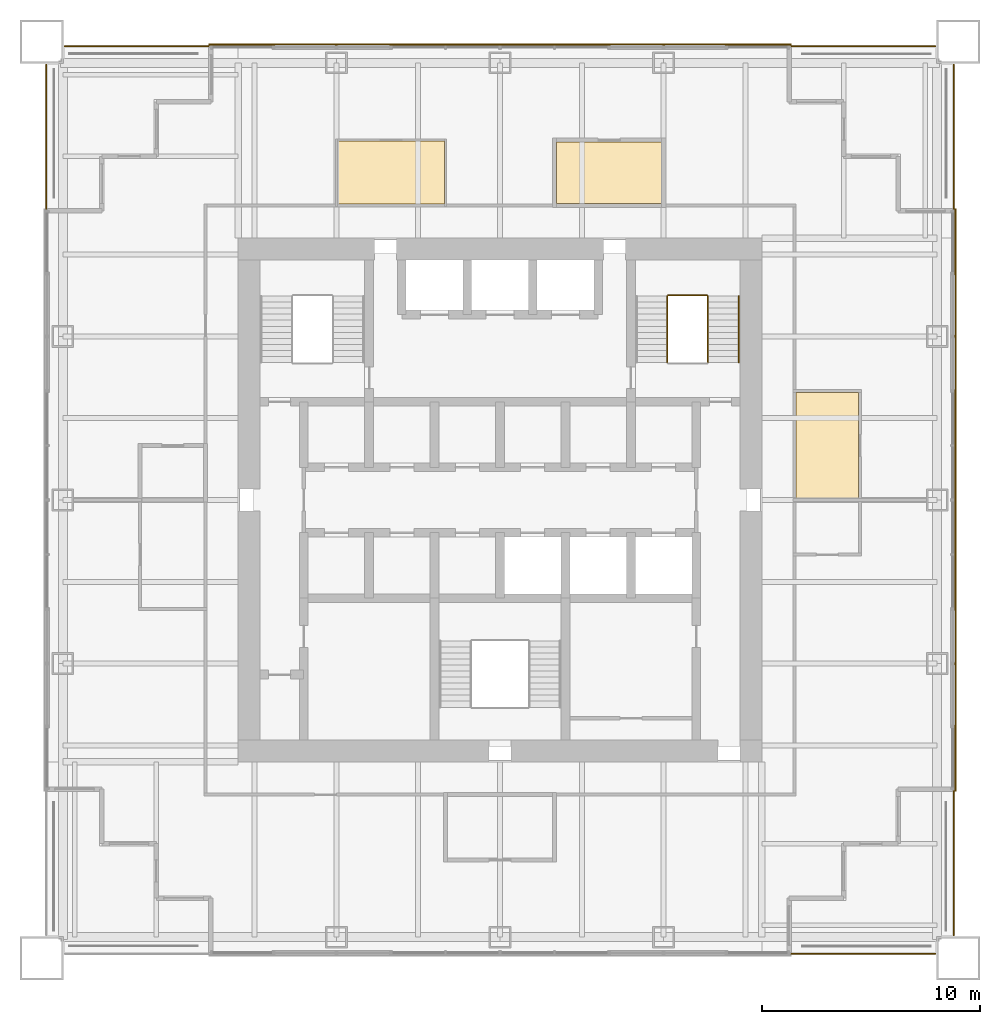
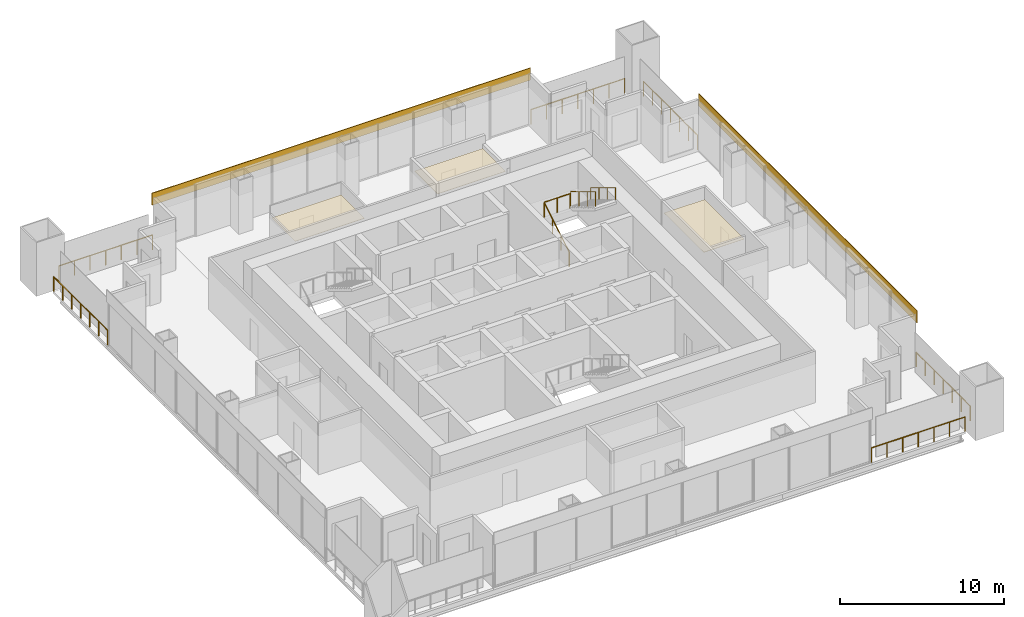
# One storey, part 14 of 14: 10 railings, 5 coverings.
"""IFC4 building model written with IfcOpenShell, lengths in metres."""

from ifc_helpers import new_model, si_unit, direction, frame, origin, origin_2d, place, context, subcontext, project, spatial, polyline, rectangle, circle, outline, extrude, material, layer, layer_set, type_object, element, save


model = new_model("IFC4")

# Units and contexts
model_context = context("Model", 3, precision=1e-05, world=origin(), true_north=direction((0.0, 1.0)))
body_context = subcontext(model_context, "Body", "Model", "MODEL_VIEW")
ifc_project = project(units=[si_unit("LENGTHUNIT", "METRE"), si_unit("AREAUNIT", "SQUARE_METRE"), si_unit("VOLUMEUNIT", "CUBIC_METRE"), si_unit("PLANEANGLEUNIT", "RADIAN"), si_unit("MASSUNIT", "GRAM", prefix="KILO")], contexts=[model_context])

# Site, building, storey
site_placement = place(None, origin())
site = spatial("IfcSite", under=ifc_project, at=site_placement, CompositionType="ELEMENT")
building_placement = place(site_placement, origin())
building = spatial("IfcBuilding", under=site, at=building_placement, Name="Tarangal Relay Tower", CompositionType="ELEMENT")
storey_placement = place(building_placement, frame((0.0, 0.0, 283.89990234375)))
storey = spatial("IfcBuildingStorey", under=building, at=storey_placement, Name="L62", CompositionType="ELEMENT", Elevation=283.89990234375)

# Coverings
ifc_material_1 = material(Name="Black anodised aluminium cladding", Category="aluminium")
ifc_layer_1 = layer(ifc_material_1, 0.050048828125)
ifc_layer_set_1 = layer_set([ifc_layer_1], Name="Black metal spandrel band")
covering_type_1 = type_object("IfcCoveringType", Name="Black metal spandrel band", PredefinedType="CLADDING", material=ifc_layer_set_1)
for number, where, z_axis, x_axis, name in (
    (1, (0.0, 20.875, 3.250244140625), (0.0, 0.0, 1.0), (1.0, 0.0, 0.0), "Spandrel band SB1 N L62"),
    (2, (20.875, 0.0, 3.250244140625), (0.0, 0.0, 1.0), (0.0, -1.0, 0.0), "Spandrel band SB1 E L62"),
):
    element("IfcCovering", number, at=place(storey_placement, frame(where, z_axis=z_axis, x_axis=x_axis)), inside=storey, type_object=covering_type_1, Name=name, PredefinedType="CLADDING", context=body_context, shape_type="SweptSolid", body=[
        extrude(rectangle(XDim=26.699951171875, YDim=0.050048828125, at=origin_2d()), origin(), (0.0, 0.0, 1.0), 0.89990234375),
    ])

# Railings
ifc_material_2 = material(Name="Steel guard, black finish", Category="steel")
railing_type_1 = type_object("IfcRailingType", Name="Stair guard 1100", PredefinedType="GUARDRAIL", material=ifc_material_2)
railing_1_placement = place(storey_placement, frame((7.669921875, 6.300048828125, 0.166748046875)))
element("IfcRailing", 3, at=railing_1_placement, inside=storey, type_object=railing_type_1, Name="Stair ST-B guard GR1 L62 flight 1", PredefinedType="GUARDRAIL", context=body_context, shape_type="SweptSolid", body=[
    extrude(circle(Radius=0.02392578125, at=origin_2d()), frame((0.0, 0.0, 1.076171875), z_axis=(0.0, 0.85685617095, 0.515555527858), x_axis=(-1.0, 0.0, 0.0)), (0.0, 0.0, 1.0), 3.555908203125),
    extrude(circle(Radius=0.02099609375, at=origin_2d()), origin(), (0.0, 0.0, 1.0), 1.052001953125),
    extrude(circle(Radius=0.02099609375, at=origin_2d()), frame((0.0, 1.015625, 0.611083984375)), (0.0, 0.0, 1.0), 1.052001953125),
    extrude(circle(Radius=0.02099609375, at=origin_2d()), frame((0.0, 2.03125, 1.22216796875)), (0.0, 0.0, 1.0), 1.052001953125),
    extrude(circle(Radius=0.02099609375, at=origin_2d()), frame((0.0, 3.046875, 1.833251953125)), (0.0, 0.0, 1.0), 1.052001953125),
])
railing_2_placement = place(storey_placement, frame((9.530029296875, 9.346923828125, 2.166748046875)))
element("IfcRailing", 4, at=railing_2_placement, inside=storey, type_object=railing_type_1, Name="Stair ST-B guard GR1 L62 flight 2", PredefinedType="GUARDRAIL", context=body_context, shape_type="SweptSolid", body=[
    extrude(circle(Radius=0.02392578125, at=origin_2d()), frame((0.0, 0.0, 1.076171875), z_axis=(0.0, -0.85685617095, 0.515555527858), x_axis=(1.0, 0.0, 0.0)), (0.0, 0.0, 1.0), 3.555908203125),
    extrude(circle(Radius=0.02099609375, at=origin_2d()), origin(), (0.0, 0.0, 1.0), 1.052001953125),
    extrude(circle(Radius=0.02099609375, at=origin_2d()), frame((0.0, -1.015625, 0.611083984375)), (0.0, 0.0, 1.0), 1.052001953125),
    extrude(circle(Radius=0.02099609375, at=origin_2d()), frame((0.0, -2.03125, 1.22216796875)), (0.0, 0.0, 1.0), 1.052001953125),
    extrude(circle(Radius=0.02099609375, at=origin_2d()), frame((0.0, -3.046875, 1.833251953125)), (0.0, 0.0, 1.0), 1.052001953125),
])
railing_3_placement = place(storey_placement, frame((7.699951171875, 9.376953125, 2.0)))
element("IfcRailing", 5, at=railing_3_placement, inside=storey, type_object=railing_type_1, Name="Stair ST-B landing guard GR1 L62", PredefinedType="GUARDRAIL", context=body_context, shape_type="SweptSolid", body=[
    extrude(circle(Radius=0.02392578125, at=origin_2d()), frame((0.0, 0.0, 1.076171875), z_axis=(1.0, 0.0, 0.0), x_axis=(0.0, 1.0, 0.0)), (0.0, 0.0, 1.0), 1.800048828125),
    extrude(circle(Radius=0.02099609375, at=origin_2d()), origin(), (0.0, 0.0, 1.0), 1.052001953125),
    extrude(circle(Radius=0.02099609375, at=origin_2d()), frame((0.89990234375, 0.0, 0.0)), (0.0, 0.0, 1.0), 1.052001953125),
    extrude(circle(Radius=0.02099609375, at=origin_2d()), frame((1.800048828125, 0.0, 0.0)), (0.0, 0.0, 1.0), 1.052001953125),
])
ifc_material_3 = material(Name="Steel handrail, black finish", Category="steel")
railing_type_2 = type_object("IfcRailingType", Name="Stair handrail 900", PredefinedType="HANDRAIL", material=ifc_material_3)
railing_4_placement = place(storey_placement, frame((10.93994140625, 9.346923828125, 2.166748046875)))
element("IfcRailing", 6, at=railing_4_placement, inside=storey, type_object=railing_type_2, Name="Stair ST-B handrail HR1 L62 flight 2", PredefinedType="HANDRAIL", context=body_context, shape_type="SweptSolid", body=[
    extrude(circle(Radius=0.02392578125, at=origin_2d()), frame((0.0, 0.0, 0.8759765625), z_axis=(0.0, -0.85685617095, 0.515555527858), x_axis=(1.0, 0.0, 0.0)), (0.0, 0.0, 1.0), 3.555908203125),
    extrude(circle(Radius=0.02099609375, at=origin_2d()), origin(), (0.0, 0.0, 1.0), 0.851806640625),
    extrude(circle(Radius=0.02099609375, at=origin_2d()), frame((0.0, -1.015625, 0.611083984375)), (0.0, 0.0, 1.0), 0.851806640625),
    extrude(circle(Radius=0.02099609375, at=origin_2d()), frame((0.0, -2.03125, 1.22216796875)), (0.0, 0.0, 1.0), 0.851806640625),
    extrude(circle(Radius=0.02099609375, at=origin_2d()), frame((0.0, -3.046875, 1.833251953125)), (0.0, 0.0, 1.0), 0.851806640625),
])

# Coverings
ifc_material_4 = material(Name="Mineral fibre ceiling tiles", Category="gypsum")
ifc_layer_2 = layer(ifc_material_4, 0.02001953125)
ifc_layer_set_2 = layer_set([ifc_layer_2], Name="Suspended ceiling")
covering_type_2 = type_object("IfcCoveringType", Name="Suspended ceiling", PredefinedType="CEILING", material=ifc_layer_set_2)
covering_1_placement = place(storey_placement, frame((0.0, 0.0, 2.900146484375)))
element("IfcCovering", 7, at=covering_1_placement, inside=storey, type_object=covering_type_2, Name="Suspended ceiling CL1 L62-02", PredefinedType="CEILING", context=body_context, shape_type="SweptSolid", body=[
    extrude(outline(polyline([(-7.449951171875, 13.574951171875), (-2.550048828125, 13.574951171875), (-2.550048828125, 16.449951171875), (-7.449951171875, 16.449951171875), (-7.449951171875, 13.574951171875)])), origin(), (0.0, 0.0, 1.0), 0.02001953125),
])
covering_2_placement = place(storey_placement, frame((0.0, 0.0, 2.900146484375)))
element("IfcCovering", 8, at=covering_2_placement, inside=storey, type_object=covering_type_2, Name="Suspended ceiling CL1 L62-03", PredefinedType="CEILING", context=body_context, shape_type="SweptSolid", body=[
    extrude(outline(polyline([(2.60009765625, 16.39990234375), (2.60009765625, 13.60009765625), (7.39990234375, 13.60009765625), (7.39990234375, 16.39990234375), (2.60009765625, 16.39990234375)])), origin(), (0.0, 0.0, 1.0), 0.02001953125),
])
covering_3_placement = place(storey_placement, frame((0.0, 0.0, 2.900146484375)))
element("IfcCovering", 9, at=covering_3_placement, inside=storey, type_object=covering_type_2, Name="Suspended ceiling CL1 L62-04", PredefinedType="CEILING", context=body_context, shape_type="SweptSolid", body=[
    extrude(outline(polyline([(16.425048828125, 0.074951171875), (16.425048828125, 4.925048828125), (13.574951171875, 4.925048828125), (13.574951171875, 0.074951171875), (16.425048828125, 0.074951171875)])), origin(), (0.0, 0.0, 1.0), 0.02001953125),
])

# Railings
ifc_material_5 = material(Name="Black steel guard with glass infill", Category="steel")
railing_type_3 = type_object("IfcRailingType", Name="Terrace guard 1100", PredefinedType="GUARDRAIL", material=ifc_material_5)
railing_5_placement = place(storey_placement, frame((13.35009765625, 20.800048828125, 0.0)))
element("IfcRailing", 10, at=railing_5_placement, inside=storey, type_object=railing_type_3, Name="Terrace guard GR2 NE L62", PredefinedType="GUARDRAIL", context=body_context, shape_type="SweptSolid", body=[
    extrude(circle(Radius=0.02392578125, at=origin_2d()), frame((0.0, 0.0, 1.076171875), z_axis=(1.0, 0.0, 0.0), x_axis=(0.0, 1.0, 0.0)), (0.0, 0.0, 1.0), 6.599853515625),
    extrude(circle(Radius=0.02099609375, at=origin_2d()), origin(), (0.0, 0.0, 1.0), 1.052001953125),
    extrude(circle(Radius=0.02099609375, at=origin_2d()), frame((1.10009765625, 0.0, 0.0)), (0.0, 0.0, 1.0), 1.052001953125),
    extrude(circle(Radius=0.02099609375, at=origin_2d()), frame((2.199951171875, 0.0, 0.0)), (0.0, 0.0, 1.0), 1.052001953125),
    extrude(circle(Radius=0.02099609375, at=origin_2d()), frame((3.2998046875, 0.0, 0.0)), (0.0, 0.0, 1.0), 1.052001953125),
    extrude(circle(Radius=0.02099609375, at=origin_2d()), frame((4.39990234375, 0.0, 0.0)), (0.0, 0.0, 1.0), 1.052001953125),
    extrude(circle(Radius=0.02099609375, at=origin_2d()), frame((5.5, 0.0, 0.0)), (0.0, 0.0, 1.0), 1.052001953125),
    extrude(circle(Radius=0.02099609375, at=origin_2d()), frame((6.599853515625, 0.0, 0.0)), (0.0, 0.0, 1.0), 1.052001953125),
])
for number, where, name in (
    (11, (20.800048828125, 19.949951171875, 0.0), "Terrace guard GR2 NE L62"),
    (12, (20.800048828125, -13.35009765625, 0.0), "Terrace guard GR2 SE L62"),
):
    element("IfcRailing", number, at=place(storey_placement, frame(where)), inside=storey, type_object=railing_type_3, Name=name, PredefinedType="GUARDRAIL", context=body_context, shape_type="SweptSolid", body=[
        extrude(circle(Radius=0.02392578125, at=origin_2d()), frame((0.0, 0.0, 1.076171875), z_axis=(0.0, -1.0, 0.0), x_axis=(1.0, 0.0, 0.0)), (0.0, 0.0, 1.0), 6.599853515625),
        extrude(circle(Radius=0.02099609375, at=origin_2d()), origin(), (0.0, 0.0, 1.0), 1.052001953125),
        extrude(circle(Radius=0.02099609375, at=origin_2d()), frame((0.0, -1.10009765625, 0.0)), (0.0, 0.0, 1.0), 1.052001953125),
        extrude(circle(Radius=0.02099609375, at=origin_2d()), frame((0.0, -2.199951171875, 0.0)), (0.0, 0.0, 1.0), 1.052001953125),
        extrude(circle(Radius=0.02099609375, at=origin_2d()), frame((0.0, -3.2998046875, 0.0)), (0.0, 0.0, 1.0), 1.052001953125),
        extrude(circle(Radius=0.02099609375, at=origin_2d()), frame((0.0, -4.39990234375, 0.0)), (0.0, 0.0, 1.0), 1.052001953125),
        extrude(circle(Radius=0.02099609375, at=origin_2d()), frame((0.0, -5.5, 0.0)), (0.0, 0.0, 1.0), 1.052001953125),
        extrude(circle(Radius=0.02099609375, at=origin_2d()), frame((0.0, -6.599853515625, 0.0)), (0.0, 0.0, 1.0), 1.052001953125),
    ])
railing_6_placement = place(storey_placement, frame((19.949951171875, -20.800048828125, 0.0)))
element("IfcRailing", 13, at=railing_6_placement, inside=storey, type_object=railing_type_3, Name="Terrace guard GR2 SE L62", PredefinedType="GUARDRAIL", context=body_context, shape_type="SweptSolid", body=[
    extrude(circle(Radius=0.02392578125, at=origin_2d()), frame((0.0, 0.0, 1.076171875), z_axis=(-1.0, 0.0, 0.0), x_axis=(0.0, -1.0, 0.0)), (0.0, 0.0, 1.0), 6.599853515625),
    extrude(circle(Radius=0.02099609375, at=origin_2d()), origin(), (0.0, 0.0, 1.0), 1.052001953125),
    extrude(circle(Radius=0.02099609375, at=origin_2d()), frame((-1.10009765625, 0.0, 0.0)), (0.0, 0.0, 1.0), 1.052001953125),
    extrude(circle(Radius=0.02099609375, at=origin_2d()), frame((-2.199951171875, 0.0, 0.0)), (0.0, 0.0, 1.0), 1.052001953125),
    extrude(circle(Radius=0.02099609375, at=origin_2d()), frame((-3.2998046875, 0.0, 0.0)), (0.0, 0.0, 1.0), 1.052001953125),
    extrude(circle(Radius=0.02099609375, at=origin_2d()), frame((-4.39990234375, 0.0, 0.0)), (0.0, 0.0, 1.0), 1.052001953125),
    extrude(circle(Radius=0.02099609375, at=origin_2d()), frame((-5.5, 0.0, 0.0)), (0.0, 0.0, 1.0), 1.052001953125),
    extrude(circle(Radius=0.02099609375, at=origin_2d()), frame((-6.599853515625, 0.0, 0.0)), (0.0, 0.0, 1.0), 1.052001953125),
])
railing_7_placement = place(storey_placement, frame((-20.800048828125, 13.35009765625, 0.0)))
element("IfcRailing", 14, at=railing_7_placement, inside=storey, type_object=railing_type_3, Name="Terrace guard GR2 NW L62", PredefinedType="GUARDRAIL", context=body_context, shape_type="SweptSolid", body=[
    extrude(circle(Radius=0.02392578125, at=origin_2d()), frame((0.0, 0.0, 1.076171875), z_axis=(0.0, 1.0, 0.0), x_axis=(-1.0, 0.0, 0.0)), (0.0, 0.0, 1.0), 6.599853515625),
    extrude(circle(Radius=0.02099609375, at=origin_2d()), origin(), (0.0, 0.0, 1.0), 1.052001953125),
    extrude(circle(Radius=0.02099609375, at=origin_2d()), frame((0.0, 1.10009765625, 0.0)), (0.0, 0.0, 1.0), 1.052001953125),
    extrude(circle(Radius=0.02099609375, at=origin_2d()), frame((0.0, 2.199951171875, 0.0)), (0.0, 0.0, 1.0), 1.052001953125),
    extrude(circle(Radius=0.02099609375, at=origin_2d()), frame((0.0, 3.2998046875, 0.0)), (0.0, 0.0, 1.0), 1.052001953125),
    extrude(circle(Radius=0.02099609375, at=origin_2d()), frame((0.0, 4.39990234375, 0.0)), (0.0, 0.0, 1.0), 1.052001953125),
    extrude(circle(Radius=0.02099609375, at=origin_2d()), frame((0.0, 5.5, 0.0)), (0.0, 0.0, 1.0), 1.052001953125),
    extrude(circle(Radius=0.02099609375, at=origin_2d()), frame((0.0, 6.599853515625, 0.0)), (0.0, 0.0, 1.0), 1.052001953125),
])
railing_8_placement = place(storey_placement, frame((-19.949951171875, 20.800048828125, 0.0)))
element("IfcRailing", 15, at=railing_8_placement, inside=storey, type_object=railing_type_3, Name="Terrace guard GR2 NW L62", PredefinedType="GUARDRAIL", context=body_context, shape_type="SweptSolid", body=[
    extrude(circle(Radius=0.02392578125, at=origin_2d()), frame((0.0, 0.0, 1.076171875), z_axis=(1.0, 0.0, 0.0), x_axis=(0.0, 1.0, 0.0)), (0.0, 0.0, 1.0), 6.599853515625),
    extrude(circle(Radius=0.02099609375, at=origin_2d()), origin(), (0.0, 0.0, 1.0), 1.052001953125),
    extrude(circle(Radius=0.02099609375, at=origin_2d()), frame((1.10009765625, 0.0, 0.0)), (0.0, 0.0, 1.0), 1.052001953125),
    extrude(circle(Radius=0.02099609375, at=origin_2d()), frame((2.199951171875, 0.0, 0.0)), (0.0, 0.0, 1.0), 1.052001953125),
    extrude(circle(Radius=0.02099609375, at=origin_2d()), frame((3.2998046875, 0.0, 0.0)), (0.0, 0.0, 1.0), 1.052001953125),
    extrude(circle(Radius=0.02099609375, at=origin_2d()), frame((4.39990234375, 0.0, 0.0)), (0.0, 0.0, 1.0), 1.052001953125),
    extrude(circle(Radius=0.02099609375, at=origin_2d()), frame((5.5, 0.0, 0.0)), (0.0, 0.0, 1.0), 1.052001953125),
    extrude(circle(Radius=0.02099609375, at=origin_2d()), frame((6.599853515625, 0.0, 0.0)), (0.0, 0.0, 1.0), 1.052001953125),
])

save(model, "model.ifc")
